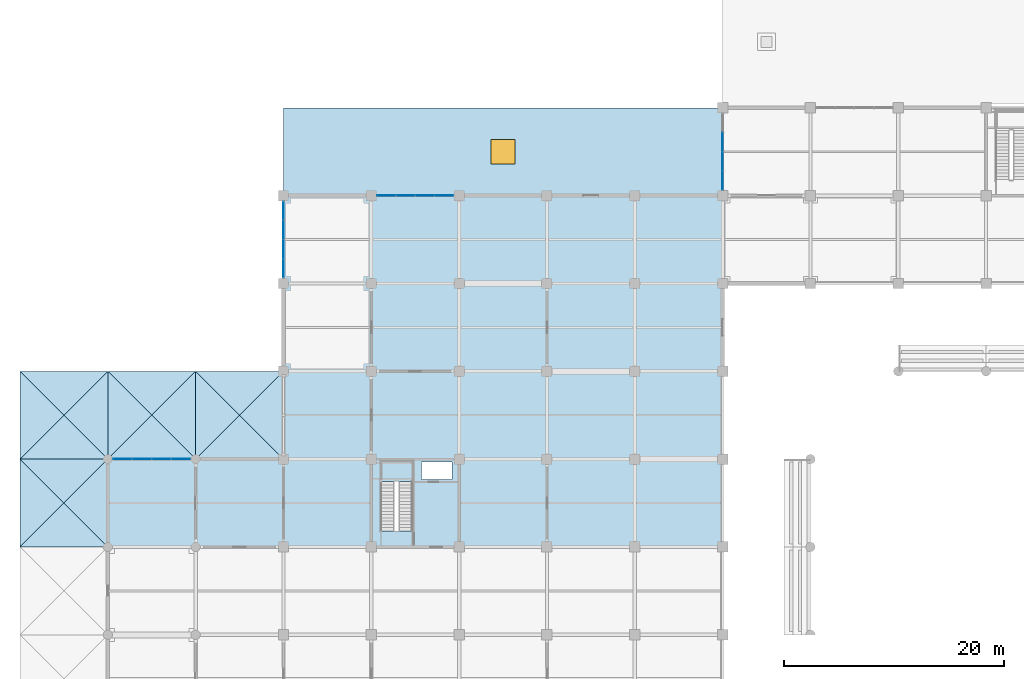
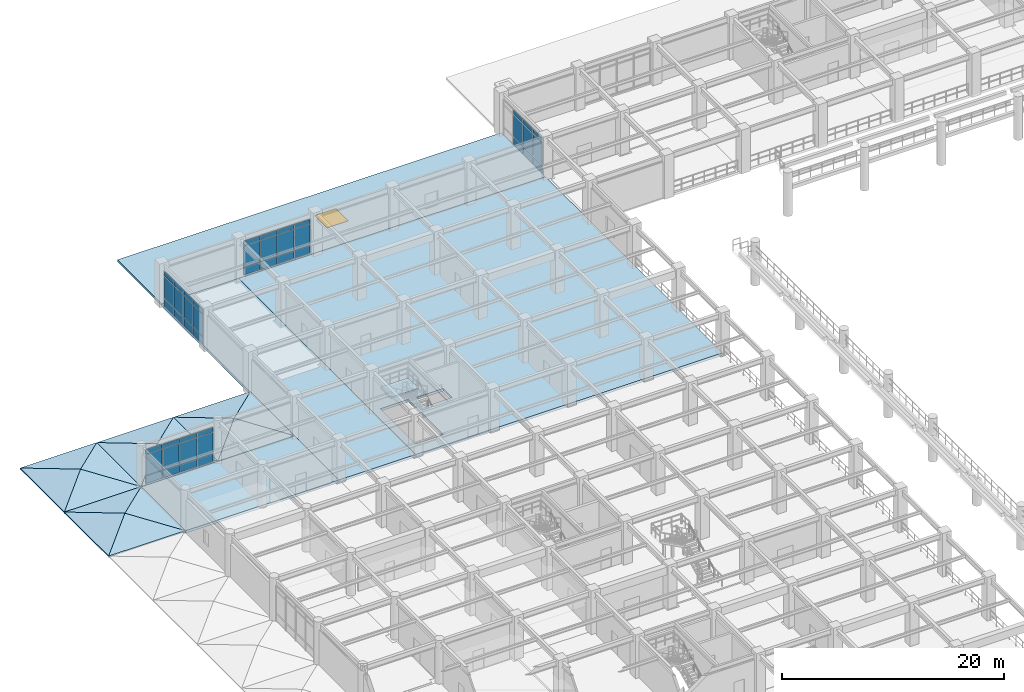
# One storey, part 63 of 109: 45 plates, 21 slabs, 1 window, 1 opening, 5 elements without a shape of their own.
"""IFC4 building model written with IfcOpenShell, lengths in metres."""

import ifcopenshell
import ifcopenshell.guid

model = None  # the IFC model being written
_history = None  # IfcOwnerHistory: only IFC2X3 demands one
_inside = {}  # id of a spatial element -> (the spatial element, [elements in it])
_under = {}  # id of a project, library or spatial element -> (it, [spatial elements below it])
_declared = {}  # id of a project -> (the project, [libraries it declares])
_typed = {}  # id of a type object -> (the type object, [elements of that type])
_made_of = {}  # id of a material, layer set ... -> (it, [elements and type objects made of it])


def new_model(schema):
    """Start an empty IFC model of exactly this schema.

    Asked for "IFC4X3", IfcOpenShell would pick the latest addendum, in which some entities
    have other attributes; the version numbers below select the first issue.
    IFC2X3 requires an IfcOwnerHistory on every rooted entity: one is made here for all.
    """
    global model, _history
    if schema == "IFC4X3":
        model = ifcopenshell.file(schema_version=(4, 3, 0, 0))
    else:
        model = ifcopenshell.file(schema=schema)
    _inside.clear()
    _under.clear()
    _declared.clear()
    _typed.clear()
    _made_of.clear()
    _history = None
    if model.schema == "IFC2X3":
        org = make("IfcOrganization", Name="unknown")
        user = make(
            "IfcPersonAndOrganization",
            ThePerson=make("IfcPerson", FamilyName="unknown"),
            TheOrganization=org,
        )
        app = make(
            "IfcApplication",
            ApplicationDeveloper=org,
            Version="unknown",
            ApplicationFullName="unknown",
            ApplicationIdentifier="unknown",
        )
        _history = make(
            "IfcOwnerHistory",
            OwningUser=user,
            OwningApplication=app,
            ChangeAction="ADDED",
            CreationDate=0,
        )
    return model


def make(cls, **values):
    """One entity of the class cls with the attributes given. An attribute that is None is left unset."""
    return model.create_entity(
        cls, **{name: value for name, value in values.items() if value is not None}
    )


def rooted(cls, **values):
    """An entity with a GlobalId (a new one), such as an element, a storey or a relation."""
    return make(cls, GlobalId=ifcopenshell.guid.new(), OwnerHistory=_history, **values)


def si_unit(unit_type, name, prefix=None):
    """IfcSIUnit, for example si_unit("LENGTHUNIT", "METRE", prefix="MILLI")."""
    return make("IfcSIUnit", UnitType=unit_type, Prefix=prefix, Name=name)


def assignment(units):
    """IfcUnitAssignment: the units of a project."""
    return None if units is None else make("IfcUnitAssignment", Units=units)


def point(xyz):
    """IfcCartesianPoint."""
    return None if xyz is None else make("IfcCartesianPoint", Coordinates=xyz)


def direction(xyz):
    """IfcDirection."""
    return None if xyz is None else make("IfcDirection", DirectionRatios=xyz)


def frame(location, z_axis=None, x_axis=None):
    """IfcAxis2Placement3D, a coordinate frame: its origin and axes. An axis left out is left unset."""
    return make(
        "IfcAxis2Placement3D",
        Location=point(location),
        Axis=direction(z_axis),
        RefDirection=direction(x_axis),
    )


def frame_2d(location, x_axis=None):
    """IfcAxis2Placement2D, a coordinate frame in the plane: its origin and x axis."""
    return make(
        "IfcAxis2Placement2D", Location=point(location), RefDirection=direction(x_axis)
    )


def origin():
    """The frame at (0, 0, 0) with its axes left unset."""
    return frame((0.0, 0.0, 0.0))


def origin_2d():
    """The frame at (0, 0) in the plane with its x axis left unset."""
    return frame_2d((0.0, 0.0))


def place(relative_to, where):
    """IfcLocalPlacement: puts the frame where relative to a parent placement (None: the world)."""
    return make(
        "IfcLocalPlacement", PlacementRelTo=relative_to, RelativePlacement=where
    )


def context(
    kind, dimensions, precision=None, world=None, true_north=None, identifier=None
):
    """IfcGeometricRepresentationContext, for example the 3D "Model" context."""
    return make(
        "IfcGeometricRepresentationContext",
        ContextIdentifier=identifier,
        ContextType=kind,
        CoordinateSpaceDimension=dimensions,
        Precision=precision,
        WorldCoordinateSystem=world,
        TrueNorth=true_north,
    )


def subcontext(parent, identifier, kind, view, scale=None):
    """IfcGeometricRepresentationSubContext, for example "Body" below "Model"."""
    return make(
        "IfcGeometricRepresentationSubContext",
        ContextIdentifier=identifier,
        ContextType=kind,
        ParentContext=parent,
        TargetScale=scale,
        TargetView=view,
    )


def project(units=None, contexts=None):
    """IfcProject with its units and contexts."""
    return rooted(
        "IfcProject",
        Name="project",
        RepresentationContexts=contexts,
        UnitsInContext=assignment(units),
    )


def spatial(cls, under=None, at=None, **own):
    """A site, building, storey or space (cls), placed at a placement, below another one or the project."""
    s = rooted(cls, ObjectPlacement=at, **own)
    if under is not None:
        _under.setdefault(under.id(), (under, []))[1].append(s)
    return s


def polyline(points):
    """IfcPolyline through the points."""
    return make("IfcPolyline", Points=[point(p) for p in points])


def profile(cls, at=None, kind="AREA", **sizes):
    """A parametric profile (cls). Its sizes go by their IFC names, for example OverallWidth=200.0."""
    return make(cls, ProfileType=kind, Position=at, **sizes)


def rectangle(**sizes):
    """IfcRectangleProfileDef."""
    return profile("IfcRectangleProfileDef", **sizes)


def outline(outer, holes=None, kind="AREA"):
    """IfcArbitraryClosedProfileDef: a profile drawn as a closed curve; with holes, ...WithVoids."""
    if holes is None:
        return make("IfcArbitraryClosedProfileDef", ProfileType=kind, OuterCurve=outer)
    return make(
        "IfcArbitraryProfileDefWithVoids",
        ProfileType=kind,
        OuterCurve=outer,
        InnerCurves=holes,
    )


def extrude(swept, where, along, depth):
    """IfcExtrudedAreaSolid: the profile swept, set in the frame where, extruded along a direction by depth."""
    return make(
        "IfcExtrudedAreaSolid",
        SweptArea=swept,
        Position=where,
        ExtrudedDirection=direction(along),
        Depth=depth,
    )


def shape(context_of_items, identifier, shape_type, items):
    """IfcShapeRepresentation: the items that make up one representation, for example the "Body"."""
    return make(
        "IfcShapeRepresentation",
        ContextOfItems=context_of_items,
        RepresentationIdentifier=identifier,
        RepresentationType=shape_type,
        Items=items,
    )


def material(Name=None, Category=None):
    """IfcMaterial."""
    return make("IfcMaterial", Name=Name, Category=Category)


def layer(
    of_material, thickness, ventilated=None, Name=None, Category=None, Priority=None
):
    """IfcMaterialLayer: one layer of a wall or slab, of a material (None: an air gap)."""
    return make(
        "IfcMaterialLayer",
        Material=of_material,
        LayerThickness=thickness,
        IsVentilated=ventilated,
        Name=Name,
        Category=Category,
        Priority=Priority,
    )


def layer_set(layers, Name=None):
    """IfcMaterialLayerSet."""
    return make("IfcMaterialLayerSet", MaterialLayers=layers, LayerSetName=Name)


def made_of(thing, what):
    """Note that an element or type object is made of a material, layer set ...; save() writes the relation."""
    if what is not None:
        _made_of.setdefault(what.id(), (what, []))[1].append(thing)
    return thing


def type_object(cls, material=None, **own):
    """A type object (cls), such as IfcWallType, which elements share."""
    return made_of(rooted(cls, **own), material)


def element(
    cls,
    number,
    at=None,
    inside=None,
    cuts=None,
    type_object=None,
    material=None,
    context=None,
    identifier="Body",
    shape_type=None,
    held_by="IfcProductDefinitionShape",
    body=None,
    shapes=None,
    **own,
):
    """One element of the class cls, such as IfcWall. Its Tag is "e" and its number.

    at: its placement. inside: the storey or other place that contains it. cuts: it is an
    opening in that element (IfcRelVoidsElement). A single representation is given by context,
    identifier, shape_type and body (its items); several are given by shapes. held_by: the class
    of the entity that holds the representations. save() writes the other relations.
    """
    e = rooted(cls, Tag="e%d" % number, ObjectPlacement=at, **own)
    if body is not None:
        shapes = [shape(context, identifier, shape_type, body)]
    if shapes is not None:
        e.Representation = make(held_by, Representations=shapes)
    if inside is not None:
        _inside.setdefault(inside.id(), (inside, []))[1].append(e)
    if cuts is not None:
        rooted(
            "IfcRelVoidsElement", RelatingBuildingElement=cuts, RelatedOpeningElement=e
        )
    if type_object is not None:
        _typed.setdefault(type_object.id(), (type_object, []))[1].append(e)
    return made_of(e, material)


def fill(opening, filler):
    """IfcRelFillsElement: the door or window that sits in an opening."""
    return rooted(
        "IfcRelFillsElement",
        RelatingOpeningElement=opening,
        RelatedBuildingElement=filler,
    )


def aggregate(whole, parts):
    """IfcRelAggregates: a whole, such as a stair, and the parts it consists of."""
    return rooted("IfcRelAggregates", RelatingObject=whole, RelatedObjects=parts)


def save(model, path):
    """Write the relations noted so far, then the file.

    IfcRelAggregates (storeys below a building ...), IfcRelContainedInSpatialStructure (elements
    in a storey), IfcRelDefinesByType, IfcRelAssociatesMaterial and IfcRelDeclares: one each for
    every whole, place, type object, material and project.
    """
    for whole, parts in _under.values():
        aggregate(whole, parts)
    for where, things in _inside.values():
        rooted(
            "IfcRelContainedInSpatialStructure",
            RelatedElements=things,
            RelatingStructure=where,
        )
    for kind, things in _typed.values():
        rooted("IfcRelDefinesByType", RelatedObjects=things, RelatingType=kind)
    for what, things in _made_of.values():
        rooted("IfcRelAssociatesMaterial", RelatedObjects=things, RelatingMaterial=what)
    for by, libraries in _declared.values():
        rooted("IfcRelDeclares", RelatingContext=by, RelatedDefinitions=libraries)
    model.write(path)


model = new_model("IFC4")

# Units and contexts
model_context = context("Model", 3, precision=1e-05, world=origin(), true_north=direction((0.0, 1.0)))
body_context = subcontext(model_context, "Body", "Model", "MODEL_VIEW")
ifc_project = project(units=[si_unit("LENGTHUNIT", "METRE"), si_unit("AREAUNIT", "SQUARE_METRE"), si_unit("VOLUMEUNIT", "CUBIC_METRE"), si_unit("PLANEANGLEUNIT", "RADIAN"), si_unit("MASSUNIT", "GRAM", prefix="KILO")], contexts=[model_context])

# Site, building, storey
site_placement = place(None, origin())
site = spatial("IfcSite", under=ifc_project, at=site_placement, CompositionType="ELEMENT")
building_placement = place(site_placement, origin())
building = spatial("IfcBuilding", under=site, at=building_placement, Name="Haebicheon Civic Stadium", CompositionType="ELEMENT")
storey_placement = place(building_placement, frame((0.0, 0.0, 9.60009765625)))
storey = spatial("IfcBuildingStorey", under=building, at=storey_placement, Name="L03", CompositionType="ELEMENT", Elevation=9.60009765625)

# Curtain wall, plates
ifc_material_1 = material(Name="Anodised aluminium and laminated glass", Category="aluminium")
ifc_layer_1 = layer(ifc_material_1, 0.179931640625, Name="Anodised aluminium and laminated glass")
ifc_layer_set_1 = layer_set([ifc_layer_1], Name="Anodised aluminium and laminated glass")
curtain_wall_type_1 = type_object("IfcCurtainWallType", Name="CW-7150x3790", PredefinedType="NOTDEFINED", material=ifc_layer_set_1)
curtain_wall_1_placement = place(storey_placement, origin())
curtain_wall_1 = element("IfcCurtainWall", 1, at=curtain_wall_1_placement, inside=storey, type_object=curtain_wall_type_1, material=ifc_layer_set_1, Name="L03 unitised curtain wall 071", PredefinedType="NOTDEFINED")
ifc_material_2 = material(Name="Double low-e laminated glass", Category="glass")
ifc_layer_2 = layer(ifc_material_2, 0.028076171875, Name="Double low-e laminated glass")
ifc_layer_set_2 = layer_set([ifc_layer_2], Name="Double low-e laminated glass")
plate_type_1 = type_object("IfcPlateType", Name="CWP-GLZ-28", PredefinedType="CURTAIN_PANEL", material=ifc_layer_set_2)
plate_1_placement = place(storey_placement, frame((9.3359375, 136.0, 1.094970703125), z_axis=(0.0, 0.0, 1.0), x_axis=(1.0, 0.0, 0.0)))
plate_1 = element("IfcPlate", 2, at=plate_1_placement, type_object=plate_type_1, material=ifc_layer_set_2, Name="CW-L03-071 vision panel 1.2", PredefinedType="CURTAIN_PANEL", context=body_context, shape_type="SweptSolid", body=[
    extrude(rectangle(XDim=1.68310546875, YDim=0.028076171875, at=origin_2d()), origin(), (0.0, 0.0, 1.0), 2.27001953125),
])
plate_2_placement = place(storey_placement, frame((11.10595703125, 136.0, 1.094970703125), z_axis=(0.0, 0.0, 1.0), x_axis=(1.0, 0.0, 0.0)))
plate_2 = element("IfcPlate", 3, at=plate_2_placement, type_object=plate_type_1, material=ifc_layer_set_2, Name="CW-L03-071 vision panel 2.2", PredefinedType="CURTAIN_PANEL", context=body_context, shape_type="SweptSolid", body=[
    extrude(rectangle(XDim=1.717041015625, YDim=0.028076171875, at=origin_2d()), origin(), (0.0, 0.0, 1.0), 2.27001953125),
])
plate_3_placement = place(storey_placement, frame((12.89404296875, 136.0, 1.094970703125), z_axis=(0.0, 0.0, 1.0), x_axis=(1.0, 0.0, 0.0)))
plate_3 = element("IfcPlate", 4, at=plate_3_placement, type_object=plate_type_1, material=ifc_layer_set_2, Name="CW-L03-071 vision panel 3.2", PredefinedType="CURTAIN_PANEL", context=body_context, shape_type="SweptSolid", body=[
    extrude(rectangle(XDim=1.718017578125, YDim=0.028076171875, at=origin_2d()), origin(), (0.0, 0.0, 1.0), 2.27001953125),
])
plate_4_placement = place(storey_placement, frame((14.6640625, 136.0, 1.094970703125), z_axis=(0.0, 0.0, 1.0), x_axis=(1.0, 0.0, 0.0)))
plate_4 = element("IfcPlate", 5, at=plate_4_placement, type_object=plate_type_1, material=ifc_layer_set_2, Name="CW-L03-071 vision panel 4.2", PredefinedType="CURTAIN_PANEL", context=body_context, shape_type="SweptSolid", body=[
    extrude(rectangle(XDim=1.681884765625, YDim=0.028076171875, at=origin_2d()), origin(), (0.0, 0.0, 1.0), 2.27001953125),
])

ifc_material_3 = material(Name="Anodised aluminium and laminated glass", Category="aluminium")
ifc_layer_3 = layer(ifc_material_3, 0.179931640625, Name="Anodised aluminium and laminated glass")
ifc_layer_set_3 = layer_set([ifc_layer_3], Name="Anodised aluminium and laminated glass")
curtain_wall_type_2 = type_object("IfcCurtainWallType", Name="CW-7050x3930", PredefinedType="NOTDEFINED", material=ifc_layer_set_3)
curtain_wall_2_placement = place(storey_placement, origin())
curtain_wall_2 = element("IfcCurtainWall", 6, at=curtain_wall_2_placement, inside=storey, type_object=curtain_wall_type_2, material=ifc_layer_set_3, Name="L03 unitised curtain wall 073", PredefinedType="NOTDEFINED")
plate_5_placement = place(storey_placement, frame((24.0, 153.3740234375, 0.93505859375), z_axis=(0.0, 0.0, 1.0), x_axis=(0.0, 1.0, 0.0)))
plate_5 = element("IfcPlate", 7, at=plate_5_placement, type_object=plate_type_1, material=ifc_layer_set_2, Name="CW-L03-073 vision panel 1.2", PredefinedType="CURTAIN_PANEL", context=body_context, shape_type="SweptSolid", body=[
    extrude(rectangle(XDim=1.656982421875, YDim=0.028076171875, at=origin_2d()), origin(), (0.0, 0.0, 1.0), 2.409912109375),
])
plate_6_placement = place(storey_placement, frame((24.0, 155.117919921875, 0.93505859375), z_axis=(0.0, 0.0, 1.0), x_axis=(0.0, 1.0, 0.0)))
plate_6 = element("IfcPlate", 8, at=plate_6_placement, type_object=plate_type_1, material=ifc_layer_set_2, Name="CW-L03-073 vision panel 2.2", PredefinedType="CURTAIN_PANEL", context=body_context, shape_type="SweptSolid", body=[
    extrude(rectangle(XDim=1.693115234375, YDim=0.028076171875, at=origin_2d()), origin(), (0.0, 0.0, 1.0), 2.409912109375),
])
plate_7_placement = place(storey_placement, frame((24.0, 156.882080078125, 0.93505859375), z_axis=(0.0, 0.0, 1.0), x_axis=(0.0, 1.0, 0.0)))
plate_7 = element("IfcPlate", 9, at=plate_7_placement, type_object=plate_type_1, material=ifc_layer_set_2, Name="CW-L03-073 vision panel 3.2", PredefinedType="CURTAIN_PANEL", context=body_context, shape_type="SweptSolid", body=[
    extrude(rectangle(XDim=1.693115234375, YDim=0.028076171875, at=origin_2d()), origin(), (0.0, 0.0, 1.0), 2.409912109375),
])
plate_8_placement = place(storey_placement, frame((24.0, 158.6259765625, 0.93505859375), z_axis=(0.0, 0.0, 1.0), x_axis=(0.0, 1.0, 0.0)))
plate_8 = element("IfcPlate", 10, at=plate_8_placement, type_object=plate_type_1, material=ifc_layer_set_2, Name="CW-L03-073 vision panel 4.2", PredefinedType="CURTAIN_PANEL", context=body_context, shape_type="SweptSolid", body=[
    extrude(rectangle(XDim=1.656982421875, YDim=0.028076171875, at=origin_2d()), origin(), (0.0, 0.0, 1.0), 2.409912109375),
])

ifc_material_4 = material(Name="Anodised aluminium and laminated glass", Category="aluminium")
ifc_layer_4 = layer(ifc_material_4, 0.179931640625, Name="Anodised aluminium and laminated glass")
ifc_layer_set_4 = layer_set([ifc_layer_4], Name="Anodised aluminium and laminated glass")
curtain_wall_type_3 = type_object("IfcCurtainWallType", Name="CW-7050x3790", PredefinedType="NOTDEFINED", material=ifc_layer_set_4)
curtain_wall_3_placement = place(storey_placement, origin())
curtain_wall_3 = element("IfcCurtainWall", 11, at=curtain_wall_3_placement, inside=storey, type_object=curtain_wall_type_3, material=ifc_layer_set_4, Name="L03 unitised curtain wall 075", PredefinedType="NOTDEFINED")
plate_9_placement = place(storey_placement, frame((33.3740234375, 160.0, 1.094970703125), z_axis=(0.0, 0.0, 1.0), x_axis=(1.0, 0.0, 0.0)))
plate_9 = element("IfcPlate", 12, at=plate_9_placement, type_object=plate_type_1, material=ifc_layer_set_2, Name="CW-L03-075 vision panel 1.2", PredefinedType="CURTAIN_PANEL", context=body_context, shape_type="SweptSolid", body=[
    extrude(rectangle(XDim=1.656982421875, YDim=0.028076171875, at=origin_2d()), origin(), (0.0, 0.0, 1.0), 2.27001953125),
])
plate_10_placement = place(storey_placement, frame((35.117919921875, 160.0, 1.094970703125), z_axis=(0.0, 0.0, 1.0), x_axis=(1.0, 0.0, 0.0)))
plate_10 = element("IfcPlate", 13, at=plate_10_placement, type_object=plate_type_1, material=ifc_layer_set_2, Name="CW-L03-075 vision panel 2.2", PredefinedType="CURTAIN_PANEL", context=body_context, shape_type="SweptSolid", body=[
    extrude(rectangle(XDim=1.693115234375, YDim=0.028076171875, at=origin_2d()), origin(), (0.0, 0.0, 1.0), 2.27001953125),
])
plate_11_placement = place(storey_placement, frame((36.882080078125, 160.0, 1.094970703125), z_axis=(0.0, 0.0, 1.0), x_axis=(1.0, 0.0, 0.0)))
plate_11 = element("IfcPlate", 14, at=plate_11_placement, type_object=plate_type_1, material=ifc_layer_set_2, Name="CW-L03-075 vision panel 3.2", PredefinedType="CURTAIN_PANEL", context=body_context, shape_type="SweptSolid", body=[
    extrude(rectangle(XDim=1.693115234375, YDim=0.028076171875, at=origin_2d()), origin(), (0.0, 0.0, 1.0), 2.27001953125),
])
plate_12_placement = place(storey_placement, frame((38.6259765625, 160.0, 1.094970703125), z_axis=(0.0, 0.0, 1.0), x_axis=(1.0, 0.0, 0.0)))
plate_12 = element("IfcPlate", 15, at=plate_12_placement, type_object=plate_type_1, material=ifc_layer_set_2, Name="CW-L03-075 vision panel 4.2", PredefinedType="CURTAIN_PANEL", context=body_context, shape_type="SweptSolid", body=[
    extrude(rectangle(XDim=1.656982421875, YDim=0.028076171875, at=origin_2d()), origin(), (0.0, 0.0, 1.0), 2.27001953125),
])

ifc_material_5 = material(Name="Anodised aluminium and laminated glass", Category="aluminium")
ifc_layer_5 = layer(ifc_material_5, 0.179931640625, Name="Anodised aluminium and laminated glass")
ifc_layer_set_5 = layer_set([ifc_layer_5], Name="Anodised aluminium and laminated glass")
curtain_wall_type_4 = type_object("IfcCurtainWallType", Name="CW-7050x3950", PredefinedType="NOTDEFINED", material=ifc_layer_set_5)
curtain_wall_4_placement = place(storey_placement, origin())
curtain_wall_4 = element("IfcCurtainWall", 16, at=curtain_wall_4_placement, inside=storey, type_object=curtain_wall_type_4, material=ifc_layer_set_5, Name="L03 unitised curtain wall 078", PredefinedType="NOTDEFINED")
plate_13_placement = place(storey_placement, frame((64.0, 161.3740234375, 0.93505859375), z_axis=(0.0, 0.0, 1.0), x_axis=(0.0, 1.0, 0.0)))
plate_13 = element("IfcPlate", 17, at=plate_13_placement, type_object=plate_type_1, material=ifc_layer_set_2, Name="CW-L03-078 vision panel 1.2", PredefinedType="CURTAIN_PANEL", context=body_context, shape_type="SweptSolid", body=[
    extrude(rectangle(XDim=1.656982421875, YDim=0.028076171875, at=origin_2d()), origin(), (0.0, 0.0, 1.0), 2.429931640625),
])
plate_14_placement = place(storey_placement, frame((64.0, 163.117919921875, 0.93505859375), z_axis=(0.0, 0.0, 1.0), x_axis=(0.0, 1.0, 0.0)))
plate_14 = element("IfcPlate", 18, at=plate_14_placement, type_object=plate_type_1, material=ifc_layer_set_2, Name="CW-L03-078 vision panel 2.2", PredefinedType="CURTAIN_PANEL", context=body_context, shape_type="SweptSolid", body=[
    extrude(rectangle(XDim=1.693115234375, YDim=0.028076171875, at=origin_2d()), origin(), (0.0, 0.0, 1.0), 2.429931640625),
])
plate_15_placement = place(storey_placement, frame((64.0, 164.882080078125, 0.93505859375), z_axis=(0.0, 0.0, 1.0), x_axis=(0.0, 1.0, 0.0)))
plate_15 = element("IfcPlate", 19, at=plate_15_placement, type_object=plate_type_1, material=ifc_layer_set_2, Name="CW-L03-078 vision panel 3.2", PredefinedType="CURTAIN_PANEL", context=body_context, shape_type="SweptSolid", body=[
    extrude(rectangle(XDim=1.693115234375, YDim=0.028076171875, at=origin_2d()), origin(), (0.0, 0.0, 1.0), 2.429931640625),
])

# Plate
ifc_material_6 = material(Name="Anodised aluminium 6063-T6", Category="aluminium")
ifc_layer_6 = layer(ifc_material_6, 0.0439453125, Name="Anodised aluminium 6063-T6")
ifc_layer_set_6 = layer_set([ifc_layer_6], Name="Anodised aluminium 6063-T6")
plate_type_2 = type_object("IfcPlateType", Name="CWP-SPD-44", PredefinedType="CURTAIN_PANEL", material=ifc_layer_set_6)
plate_16_placement = place(storey_placement, frame((9.3359375, 136.0, 0.19482421875), z_axis=(0.0, 0.0, 1.0), x_axis=(1.0, 0.0, 0.0)))
plate_16 = element("IfcPlate", 20, at=plate_16_placement, type_object=plate_type_2, material=ifc_layer_set_6, Name="CW-L03-071 spandrel panel 1.1", PredefinedType="CURTAIN_PANEL", context=body_context, shape_type="SweptSolid", body=[
    extrude(rectangle(XDim=1.68310546875, YDim=0.0439453125, at=origin_2d()), origin(), (0.0, 0.0, 1.0), 0.830078125),
])

plate_17_placement = place(storey_placement, frame((9.3359375, 136.0, 3.434814453125), z_axis=(0.0, 0.0, 1.0), x_axis=(1.0, 0.0, 0.0)))
plate_17 = element("IfcPlate", 21, at=plate_17_placement, type_object=plate_type_2, material=ifc_layer_set_6, Name="CW-L03-071 spandrel panel 1.3", PredefinedType="CURTAIN_PANEL", context=body_context, shape_type="SweptSolid", body=[
    extrude(rectangle(XDim=1.68310546875, YDim=0.0439453125, at=origin_2d()), origin(), (0.0, 0.0, 1.0), 0.47998046875),
])

plate_18_placement = place(storey_placement, frame((11.10595703125, 136.0, 0.19482421875), z_axis=(0.0, 0.0, 1.0), x_axis=(1.0, 0.0, 0.0)))
plate_18 = element("IfcPlate", 22, at=plate_18_placement, type_object=plate_type_2, material=ifc_layer_set_6, Name="CW-L03-071 spandrel panel 2.1", PredefinedType="CURTAIN_PANEL", context=body_context, shape_type="SweptSolid", body=[
    extrude(rectangle(XDim=1.717041015625, YDim=0.0439453125, at=origin_2d()), origin(), (0.0, 0.0, 1.0), 0.830078125),
])

plate_19_placement = place(storey_placement, frame((11.10595703125, 136.0, 3.434814453125), z_axis=(0.0, 0.0, 1.0), x_axis=(1.0, 0.0, 0.0)))
plate_19 = element("IfcPlate", 23, at=plate_19_placement, type_object=plate_type_2, material=ifc_layer_set_6, Name="CW-L03-071 spandrel panel 2.3", PredefinedType="CURTAIN_PANEL", context=body_context, shape_type="SweptSolid", body=[
    extrude(rectangle(XDim=1.717041015625, YDim=0.0439453125, at=origin_2d()), origin(), (0.0, 0.0, 1.0), 0.47998046875),
])

plate_20_placement = place(storey_placement, frame((12.89404296875, 136.0, 0.19482421875), z_axis=(0.0, 0.0, 1.0), x_axis=(1.0, 0.0, 0.0)))
plate_20 = element("IfcPlate", 24, at=plate_20_placement, type_object=plate_type_2, material=ifc_layer_set_6, Name="CW-L03-071 spandrel panel 3.1", PredefinedType="CURTAIN_PANEL", context=body_context, shape_type="SweptSolid", body=[
    extrude(rectangle(XDim=1.718017578125, YDim=0.0439453125, at=origin_2d()), origin(), (0.0, 0.0, 1.0), 0.830078125),
])

plate_21_placement = place(storey_placement, frame((12.89404296875, 136.0, 3.434814453125), z_axis=(0.0, 0.0, 1.0), x_axis=(1.0, 0.0, 0.0)))
plate_21 = element("IfcPlate", 25, at=plate_21_placement, type_object=plate_type_2, material=ifc_layer_set_6, Name="CW-L03-071 spandrel panel 3.3", PredefinedType="CURTAIN_PANEL", context=body_context, shape_type="SweptSolid", body=[
    extrude(rectangle(XDim=1.718017578125, YDim=0.0439453125, at=origin_2d()), origin(), (0.0, 0.0, 1.0), 0.47998046875),
])

plate_22_placement = place(storey_placement, frame((14.6640625, 136.0, 0.19482421875), z_axis=(0.0, 0.0, 1.0), x_axis=(1.0, 0.0, 0.0)))
plate_22 = element("IfcPlate", 26, at=plate_22_placement, type_object=plate_type_2, material=ifc_layer_set_6, Name="CW-L03-071 spandrel panel 4.1", PredefinedType="CURTAIN_PANEL", context=body_context, shape_type="SweptSolid", body=[
    extrude(rectangle(XDim=1.681884765625, YDim=0.0439453125, at=origin_2d()), origin(), (0.0, 0.0, 1.0), 0.830078125),
])

plate_23_placement = place(storey_placement, frame((14.6640625, 136.0, 3.434814453125), z_axis=(0.0, 0.0, 1.0), x_axis=(1.0, 0.0, 0.0)))
plate_23 = element("IfcPlate", 27, at=plate_23_placement, type_object=plate_type_2, material=ifc_layer_set_6, Name="CW-L03-071 spandrel panel 4.3", PredefinedType="CURTAIN_PANEL", context=body_context, shape_type="SweptSolid", body=[
    extrude(rectangle(XDim=1.681884765625, YDim=0.0439453125, at=origin_2d()), origin(), (0.0, 0.0, 1.0), 0.47998046875),
])

aggregate(curtain_wall_1, [plate_16, plate_1, plate_17, plate_18, plate_2, plate_19, plate_20, plate_3, plate_21, plate_22, plate_4, plate_23])

plate_24_placement = place(storey_placement, frame((24.0, 153.3740234375, 0.034912109375), z_axis=(0.0, 0.0, 1.0), x_axis=(0.0, 1.0, 0.0)))
plate_24 = element("IfcPlate", 28, at=plate_24_placement, type_object=plate_type_2, material=ifc_layer_set_6, Name="CW-L03-073 spandrel panel 1.1", PredefinedType="CURTAIN_PANEL", context=body_context, shape_type="SweptSolid", body=[
    extrude(rectangle(XDim=1.656982421875, YDim=0.0439453125, at=origin_2d()), origin(), (0.0, 0.0, 1.0), 0.830078125),
])

plate_25_placement = place(storey_placement, frame((24.0, 153.3740234375, 3.414794921875), z_axis=(0.0, 0.0, 1.0), x_axis=(0.0, 1.0, 0.0)))
plate_25 = element("IfcPlate", 29, at=plate_25_placement, type_object=plate_type_2, material=ifc_layer_set_6, Name="CW-L03-073 spandrel panel 1.3", PredefinedType="CURTAIN_PANEL", context=body_context, shape_type="SweptSolid", body=[
    extrude(rectangle(XDim=1.656982421875, YDim=0.0439453125, at=origin_2d()), origin(), (0.0, 0.0, 1.0), 0.47998046875),
])

plate_26_placement = place(storey_placement, frame((24.0, 155.117919921875, 0.034912109375), z_axis=(0.0, 0.0, 1.0), x_axis=(0.0, 1.0, 0.0)))
plate_26 = element("IfcPlate", 30, at=plate_26_placement, type_object=plate_type_2, material=ifc_layer_set_6, Name="CW-L03-073 spandrel panel 2.1", PredefinedType="CURTAIN_PANEL", context=body_context, shape_type="SweptSolid", body=[
    extrude(rectangle(XDim=1.693115234375, YDim=0.0439453125, at=origin_2d()), origin(), (0.0, 0.0, 1.0), 0.830078125),
])

plate_27_placement = place(storey_placement, frame((24.0, 155.117919921875, 3.414794921875), z_axis=(0.0, 0.0, 1.0), x_axis=(0.0, 1.0, 0.0)))
plate_27 = element("IfcPlate", 31, at=plate_27_placement, type_object=plate_type_2, material=ifc_layer_set_6, Name="CW-L03-073 spandrel panel 2.3", PredefinedType="CURTAIN_PANEL", context=body_context, shape_type="SweptSolid", body=[
    extrude(rectangle(XDim=1.693115234375, YDim=0.0439453125, at=origin_2d()), origin(), (0.0, 0.0, 1.0), 0.47998046875),
])

plate_28_placement = place(storey_placement, frame((24.0, 156.882080078125, 0.034912109375), z_axis=(0.0, 0.0, 1.0), x_axis=(0.0, 1.0, 0.0)))
plate_28 = element("IfcPlate", 32, at=plate_28_placement, type_object=plate_type_2, material=ifc_layer_set_6, Name="CW-L03-073 spandrel panel 3.1", PredefinedType="CURTAIN_PANEL", context=body_context, shape_type="SweptSolid", body=[
    extrude(rectangle(XDim=1.693115234375, YDim=0.0439453125, at=origin_2d()), origin(), (0.0, 0.0, 1.0), 0.830078125),
])

plate_29_placement = place(storey_placement, frame((24.0, 156.882080078125, 3.414794921875), z_axis=(0.0, 0.0, 1.0), x_axis=(0.0, 1.0, 0.0)))
plate_29 = element("IfcPlate", 33, at=plate_29_placement, type_object=plate_type_2, material=ifc_layer_set_6, Name="CW-L03-073 spandrel panel 3.3", PredefinedType="CURTAIN_PANEL", context=body_context, shape_type="SweptSolid", body=[
    extrude(rectangle(XDim=1.693115234375, YDim=0.0439453125, at=origin_2d()), origin(), (0.0, 0.0, 1.0), 0.47998046875),
])

plate_30_placement = place(storey_placement, frame((24.0, 158.6259765625, 0.034912109375), z_axis=(0.0, 0.0, 1.0), x_axis=(0.0, 1.0, 0.0)))
plate_30 = element("IfcPlate", 34, at=plate_30_placement, type_object=plate_type_2, material=ifc_layer_set_6, Name="CW-L03-073 spandrel panel 4.1", PredefinedType="CURTAIN_PANEL", context=body_context, shape_type="SweptSolid", body=[
    extrude(rectangle(XDim=1.656982421875, YDim=0.0439453125, at=origin_2d()), origin(), (0.0, 0.0, 1.0), 0.830078125),
])

plate_31_placement = place(storey_placement, frame((24.0, 158.6259765625, 3.414794921875), z_axis=(0.0, 0.0, 1.0), x_axis=(0.0, 1.0, 0.0)))
plate_31 = element("IfcPlate", 35, at=plate_31_placement, type_object=plate_type_2, material=ifc_layer_set_6, Name="CW-L03-073 spandrel panel 4.3", PredefinedType="CURTAIN_PANEL", context=body_context, shape_type="SweptSolid", body=[
    extrude(rectangle(XDim=1.656982421875, YDim=0.0439453125, at=origin_2d()), origin(), (0.0, 0.0, 1.0), 0.47998046875),
])

aggregate(curtain_wall_2, [plate_24, plate_5, plate_25, plate_26, plate_6, plate_27, plate_28, plate_7, plate_29, plate_30, plate_8, plate_31])

plate_32_placement = place(storey_placement, frame((33.3740234375, 160.0, 0.19482421875), z_axis=(0.0, 0.0, 1.0), x_axis=(1.0, 0.0, 0.0)))
plate_32 = element("IfcPlate", 36, at=plate_32_placement, type_object=plate_type_2, material=ifc_layer_set_6, Name="CW-L03-075 spandrel panel 1.1", PredefinedType="CURTAIN_PANEL", context=body_context, shape_type="SweptSolid", body=[
    extrude(rectangle(XDim=1.656982421875, YDim=0.0439453125, at=origin_2d()), origin(), (0.0, 0.0, 1.0), 0.830078125),
])

plate_33_placement = place(storey_placement, frame((33.3740234375, 160.0, 3.434814453125), z_axis=(0.0, 0.0, 1.0), x_axis=(1.0, 0.0, 0.0)))
plate_33 = element("IfcPlate", 37, at=plate_33_placement, type_object=plate_type_2, material=ifc_layer_set_6, Name="CW-L03-075 spandrel panel 1.3", PredefinedType="CURTAIN_PANEL", context=body_context, shape_type="SweptSolid", body=[
    extrude(rectangle(XDim=1.656982421875, YDim=0.0439453125, at=origin_2d()), origin(), (0.0, 0.0, 1.0), 0.47998046875),
])

plate_34_placement = place(storey_placement, frame((35.117919921875, 160.0, 0.19482421875), z_axis=(0.0, 0.0, 1.0), x_axis=(1.0, 0.0, 0.0)))
plate_34 = element("IfcPlate", 38, at=plate_34_placement, type_object=plate_type_2, material=ifc_layer_set_6, Name="CW-L03-075 spandrel panel 2.1", PredefinedType="CURTAIN_PANEL", context=body_context, shape_type="SweptSolid", body=[
    extrude(rectangle(XDim=1.693115234375, YDim=0.0439453125, at=origin_2d()), origin(), (0.0, 0.0, 1.0), 0.830078125),
])

plate_35_placement = place(storey_placement, frame((35.117919921875, 160.0, 3.434814453125), z_axis=(0.0, 0.0, 1.0), x_axis=(1.0, 0.0, 0.0)))
plate_35 = element("IfcPlate", 39, at=plate_35_placement, type_object=plate_type_2, material=ifc_layer_set_6, Name="CW-L03-075 spandrel panel 2.3", PredefinedType="CURTAIN_PANEL", context=body_context, shape_type="SweptSolid", body=[
    extrude(rectangle(XDim=1.693115234375, YDim=0.0439453125, at=origin_2d()), origin(), (0.0, 0.0, 1.0), 0.47998046875),
])

plate_36_placement = place(storey_placement, frame((36.882080078125, 160.0, 0.19482421875), z_axis=(0.0, 0.0, 1.0), x_axis=(1.0, 0.0, 0.0)))
plate_36 = element("IfcPlate", 40, at=plate_36_placement, type_object=plate_type_2, material=ifc_layer_set_6, Name="CW-L03-075 spandrel panel 3.1", PredefinedType="CURTAIN_PANEL", context=body_context, shape_type="SweptSolid", body=[
    extrude(rectangle(XDim=1.693115234375, YDim=0.0439453125, at=origin_2d()), origin(), (0.0, 0.0, 1.0), 0.830078125),
])

plate_37_placement = place(storey_placement, frame((36.882080078125, 160.0, 3.434814453125), z_axis=(0.0, 0.0, 1.0), x_axis=(1.0, 0.0, 0.0)))
plate_37 = element("IfcPlate", 41, at=plate_37_placement, type_object=plate_type_2, material=ifc_layer_set_6, Name="CW-L03-075 spandrel panel 3.3", PredefinedType="CURTAIN_PANEL", context=body_context, shape_type="SweptSolid", body=[
    extrude(rectangle(XDim=1.693115234375, YDim=0.0439453125, at=origin_2d()), origin(), (0.0, 0.0, 1.0), 0.47998046875),
])

plate_38_placement = place(storey_placement, frame((38.6259765625, 160.0, 0.19482421875), z_axis=(0.0, 0.0, 1.0), x_axis=(1.0, 0.0, 0.0)))
plate_38 = element("IfcPlate", 42, at=plate_38_placement, type_object=plate_type_2, material=ifc_layer_set_6, Name="CW-L03-075 spandrel panel 4.1", PredefinedType="CURTAIN_PANEL", context=body_context, shape_type="SweptSolid", body=[
    extrude(rectangle(XDim=1.656982421875, YDim=0.0439453125, at=origin_2d()), origin(), (0.0, 0.0, 1.0), 0.830078125),
])

plate_39_placement = place(storey_placement, frame((38.6259765625, 160.0, 3.434814453125), z_axis=(0.0, 0.0, 1.0), x_axis=(1.0, 0.0, 0.0)))
plate_39 = element("IfcPlate", 43, at=plate_39_placement, type_object=plate_type_2, material=ifc_layer_set_6, Name="CW-L03-075 spandrel panel 4.3", PredefinedType="CURTAIN_PANEL", context=body_context, shape_type="SweptSolid", body=[
    extrude(rectangle(XDim=1.656982421875, YDim=0.0439453125, at=origin_2d()), origin(), (0.0, 0.0, 1.0), 0.47998046875),
])

aggregate(curtain_wall_3, [plate_32, plate_9, plate_33, plate_34, plate_10, plate_35, plate_36, plate_11, plate_37, plate_38, plate_12, plate_39])

plate_40_placement = place(storey_placement, frame((64.0, 161.3740234375, 0.034912109375), z_axis=(0.0, 0.0, 1.0), x_axis=(0.0, 1.0, 0.0)))
plate_40 = element("IfcPlate", 44, at=plate_40_placement, type_object=plate_type_2, material=ifc_layer_set_6, Name="CW-L03-078 spandrel panel 1.1", PredefinedType="CURTAIN_PANEL", context=body_context, shape_type="SweptSolid", body=[
    extrude(rectangle(XDim=1.656982421875, YDim=0.0439453125, at=origin_2d()), origin(), (0.0, 0.0, 1.0), 0.830078125),
])

plate_41_placement = place(storey_placement, frame((64.0, 161.3740234375, 3.434814453125), z_axis=(0.0, 0.0, 1.0), x_axis=(0.0, 1.0, 0.0)))
plate_41 = element("IfcPlate", 45, at=plate_41_placement, type_object=plate_type_2, material=ifc_layer_set_6, Name="CW-L03-078 spandrel panel 1.3", PredefinedType="CURTAIN_PANEL", context=body_context, shape_type="SweptSolid", body=[
    extrude(rectangle(XDim=1.656982421875, YDim=0.0439453125, at=origin_2d()), origin(), (0.0, 0.0, 1.0), 0.47998046875),
])

plate_42_placement = place(storey_placement, frame((64.0, 163.117919921875, 0.034912109375), z_axis=(0.0, 0.0, 1.0), x_axis=(0.0, 1.0, 0.0)))
plate_42 = element("IfcPlate", 46, at=plate_42_placement, type_object=plate_type_2, material=ifc_layer_set_6, Name="CW-L03-078 spandrel panel 2.1", PredefinedType="CURTAIN_PANEL", context=body_context, shape_type="SweptSolid", body=[
    extrude(rectangle(XDim=1.693115234375, YDim=0.0439453125, at=origin_2d()), origin(), (0.0, 0.0, 1.0), 0.830078125),
])

plate_43_placement = place(storey_placement, frame((64.0, 163.117919921875, 3.434814453125), z_axis=(0.0, 0.0, 1.0), x_axis=(0.0, 1.0, 0.0)))
plate_43 = element("IfcPlate", 47, at=plate_43_placement, type_object=plate_type_2, material=ifc_layer_set_6, Name="CW-L03-078 spandrel panel 2.3", PredefinedType="CURTAIN_PANEL", context=body_context, shape_type="SweptSolid", body=[
    extrude(rectangle(XDim=1.693115234375, YDim=0.0439453125, at=origin_2d()), origin(), (0.0, 0.0, 1.0), 0.47998046875),
])

plate_44_placement = place(storey_placement, frame((64.0, 164.882080078125, 0.034912109375), z_axis=(0.0, 0.0, 1.0), x_axis=(0.0, 1.0, 0.0)))
plate_44 = element("IfcPlate", 48, at=plate_44_placement, type_object=plate_type_2, material=ifc_layer_set_6, Name="CW-L03-078 spandrel panel 3.1", PredefinedType="CURTAIN_PANEL", context=body_context, shape_type="SweptSolid", body=[
    extrude(rectangle(XDim=1.693115234375, YDim=0.0439453125, at=origin_2d()), origin(), (0.0, 0.0, 1.0), 0.830078125),
])

plate_45_placement = place(storey_placement, frame((64.0, 164.882080078125, 3.434814453125), z_axis=(0.0, 0.0, 1.0), x_axis=(0.0, 1.0, 0.0)))
plate_45 = element("IfcPlate", 49, at=plate_45_placement, type_object=plate_type_2, material=ifc_layer_set_6, Name="CW-L03-078 spandrel panel 3.3", PredefinedType="CURTAIN_PANEL", context=body_context, shape_type="SweptSolid", body=[
    extrude(rectangle(XDim=1.693115234375, YDim=0.0439453125, at=origin_2d()), origin(), (0.0, 0.0, 1.0), 0.47998046875),
])

aggregate(curtain_wall_4, [plate_40, plate_13, plate_41, plate_42, plate_14, plate_43, plate_44, plate_15, plate_45])

# Slabs
ifc_material_7 = material(Name="Concrete C40/50", Category="concrete")
ifc_layer_7 = layer(ifc_material_7, 0.280029296875, Name="Concrete C40/50")
ifc_layer_set_7 = layer_set([ifc_layer_7], Name="Concrete C40/50")
slab_type_1 = type_object("IfcSlabType", Name="SLB-FLR-280", PredefinedType="FLOOR", material=ifc_layer_set_7)
slab_1_placement = place(storey_placement, frame((0.0, 0.0, -0.280029296875)))
element("IfcSlab", 50, at=slab_1_placement, inside=storey, type_object=slab_type_1, material=ifc_layer_set_7, Name="L03 V1 structural slab 4.1", PredefinedType="FLOOR", context=body_context, shape_type="SweptSolid", body=[
    extrude(outline(polyline([(24.0, 128.0), (24.0, 136.0), (24.0, 144.0), (24.0, 152.0), (24.0, 160.0), (32.0, 160.0), (32.0, 152.0), (32.0, 144.0), (32.0, 136.0), (32.0, 128.0), (24.0, 128.0)])), origin(), (0.0, 0.0, 1.0), 0.280029296875),
])
slab_2_placement = place(storey_placement, frame((0.0, 0.0, -0.280029296875)))
element("IfcSlab", 51, at=slab_2_placement, inside=storey, type_object=slab_type_1, material=ifc_layer_set_7, Name="L03 V1 structural slab 8.1", PredefinedType="FLOOR", context=body_context, shape_type="SweptSolid", body=[
    extrude(outline(polyline([(32.0, 152.0), (32.0, 160.0), (40.0, 160.0), (48.0, 160.0), (56.0, 160.0), (64.0, 160.0), (64.0, 152.0), (64.0, 144.0), (64.0, 136.0), (64.0, 128.0), (56.0, 128.0), (48.0, 128.0), (40.0, 128.0), (32.0, 128.0), (32.0, 136.0), (32.0, 144.0), (32.0, 152.0)]), holes=[polyline([(32.840087890625, 129.4599609375), (35.739990234375, 129.4599609375), (35.739990234375, 135.840087890625), (32.840087890625, 135.840087890625), (32.840087890625, 129.4599609375)]), polyline([(36.550048828125, 134.14990234375), (39.35009765625, 134.14990234375), (39.35009765625, 135.75), (36.550048828125, 135.75), (36.550048828125, 134.14990234375)])]), origin(), (0.0, 0.0, 1.0), 0.280029296875),
])
slab_3_placement = place(storey_placement, frame((0.0, 0.0, -0.280029296875)))
element("IfcSlab", 52, at=slab_3_placement, inside=storey, type_object=slab_type_1, material=ifc_layer_set_7, Name="L03 V5 structural slab 4.1", PredefinedType="FLOOR", context=body_context, shape_type="SweptSolid", body=[
    extrude(outline(polyline([(8.0, 128.0), (8.0, 136.0), (16.0, 136.0), (24.0, 136.0), (24.0, 128.0), (16.0, 128.0), (8.0, 128.0)])), origin(), (0.0, 0.0, 1.0), 0.280029296875),
])

# Stair, slab
ifc_material_8 = material(Name="Concrete C40/50", Category="concrete")
stair_type = type_object("IfcStairType", Name="STR-DL-W126-H48", PredefinedType="HALF_TURN_STAIR", material=ifc_material_8)
stair_placement = place(storey_placement, origin())
stair = element("IfcStair", 53, at=stair_placement, inside=storey, type_object=stair_type, material=ifc_material_8, Name="L03 Escape stair ST-05", PredefinedType="HALF_TURN_STAIR")
ifc_material_9 = material(Name="Concrete C40/50", Category="concrete")
ifc_layer_8 = layer(ifc_material_9, 0.199951171875, Name="Concrete C40/50")
ifc_layer_set_8 = layer_set([ifc_layer_8], Name="Concrete C40/50")
slab_type_2 = type_object("IfcSlabType", Name="SLB-LND-200", PredefinedType="LANDING", material=ifc_layer_set_8)
slab_4_placement = place(storey_placement, frame((0.0, 0.0, 2.199951171875)))
slab_4 = element("IfcSlab", 54, at=slab_4_placement, type_object=slab_type_2, material=ifc_layer_set_8, Name="ST-05 landing 1", PredefinedType="LANDING", context=body_context, shape_type="SweptSolid", body=[
    extrude(outline(polyline([(35.739990234375, 133.949951171875), (35.739990234375, 135.840087890625), (32.840087890625, 135.840087890625), (32.840087890625, 133.949951171875), (35.739990234375, 133.949951171875)])), origin(), (0.0, 0.0, 1.0), 0.199951171875),
])
aggregate(stair, [slab_4])

# Slabs
ifc_material_10 = material(Name="Precast concrete C40/50", Category="concrete")
ifc_layer_9 = layer(ifc_material_10, 0.169921875, Name="Precast concrete C40/50")
ifc_layer_set_9 = layer_set([ifc_layer_9], Name="Precast concrete C40/50")
slab_type_3 = type_object("IfcSlabType", Name="SLB-ROOF-170", PredefinedType="ROOF", material=ifc_layer_set_9)
for number, where, z_axis, x_axis, name in (
    (55, (0.0, 128.0, 0.02001953125), (0.0, -0.21948952406, 0.97561485681), (1.0, 0.0, 0.0), "L03 V5 folded shell roof facet 12.S"),
    (56, (8.0, 128.0, 0.02001953125), (0.21948952406, 0.0, 0.97561485681), (0.0, 1.0, 0.0), "L03 V5 folded shell roof facet 12.E"),
    (57, (8.0, 136.0, 0.02001953125), (0.0, 0.21948952406, 0.97561485681), (-1.0, 0.0, 0.0), "L03 V5 folded shell roof facet 12.N"),
    (58, (0.0, 136.0, 0.02001953125), (-0.21948952406, 0.0, 0.97561485681), (0.0, -1.0, 0.0), "L03 V5 folded shell roof facet 12.W"),
    (59, (0.0, 136.0, 0.02001953125), (0.0, -0.21948952406, 0.97561485681), (1.0, 0.0, 0.0), "L03 V5 folded shell roof facet 13.S"),
    (60, (8.0, 136.0, 0.02001953125), (0.21948952406, 0.0, 0.97561485681), (0.0, 1.0, 0.0), "L03 V5 folded shell roof facet 13.E"),
    (61, (8.0, 144.0, 0.02001953125), (0.0, 0.21948952406, 0.97561485681), (-1.0, 0.0, 0.0), "L03 V5 folded shell roof facet 13.N"),
    (62, (0.0, 144.0, 0.02001953125), (-0.21948952406, 0.0, 0.97561485681), (0.0, -1.0, 0.0), "L03 V5 folded shell roof facet 13.W"),
    (63, (8.0, 136.0, 0.02001953125), (0.0, -0.21948952406, 0.97561485681), (1.0, 0.0, 0.0), "L03 V5 folded shell roof facet 15.S"),
    (64, (16.0, 136.0, 0.02001953125), (0.21948952406, 0.0, 0.97561485681), (0.0, 1.0, 0.0), "L03 V5 folded shell roof facet 15.E"),
    (65, (16.0, 144.0, 0.02001953125), (0.0, 0.21948952406, 0.97561485681), (-1.0, 0.0, 0.0), "L03 V5 folded shell roof facet 15.N"),
    (66, (8.0, 144.0, 0.02001953125), (-0.21948952406, 0.0, 0.97561485681), (0.0, -1.0, 0.0), "L03 V5 folded shell roof facet 15.W"),
    (67, (16.0, 136.0, 0.02001953125), (0.0, -0.21948952406, 0.97561485681), (1.0, 0.0, 0.0), "L03 V5 folded shell roof facet 17.S"),
    (68, (24.0, 136.0, 0.02001953125), (0.21948952406, 0.0, 0.97561485681), (0.0, 1.0, 0.0), "L03 V5 folded shell roof facet 17.E"),
    (69, (24.0, 144.0, 0.02001953125), (0.0, 0.21948952406, 0.97561485681), (-1.0, 0.0, 0.0), "L03 V5 folded shell roof facet 17.N"),
    (70, (16.0, 144.0, 0.02001953125), (-0.21948952406, 0.0, 0.97561485681), (0.0, -1.0, 0.0), "L03 V5 folded shell roof facet 17.W"),
):
    element("IfcSlab", number, at=place(storey_placement, frame(where, z_axis=z_axis, x_axis=x_axis)), inside=storey, type_object=slab_type_3, material=ifc_layer_set_9, Name=name, PredefinedType="ROOF", context=body_context, shape_type="SweptSolid", body=[
        extrude(outline(polyline([(0.0, 0.0), (8.0, 0.0), (4.0, 4.099978564369178), (0.0, 0.0)])), origin(), (0.0, 0.0, -1.0), 0.169921875),
    ])

# Slab, opening, window
ifc_material_11 = material(Name="Concrete C40/50", Category="concrete")
ifc_layer_10 = layer(ifc_material_11, 0.219970703125, Name="Concrete C40/50")
ifc_layer_set_10 = layer_set([ifc_layer_10], Name="Concrete C40/50")
slab_type_4 = type_object("IfcSlabType", Name="SLB-ROOF-220", PredefinedType="ROOF", material=ifc_layer_set_10)
slab_5_placement = place(storey_placement, frame((0.0, 0.0, -0.22021484375)))
slab_5 = element("IfcSlab", 71, at=slab_5_placement, inside=storey, type_object=slab_type_4, material=ifc_layer_set_10, Name="L03 V1 roof deck slab 2", PredefinedType="ROOF", context=body_context, shape_type="SweptSolid", body=[
    extrude(outline(polyline([(24.0, 168.0), (64.0, 168.0), (64.0, 160.0), (24.0, 160.0), (24.0, 168.0)])), origin(), (0.0, 0.0, 1.0), 0.22021484375),
])
opening_placement = place(slab_5_placement, frame((44.0, 164.0, -0.010009765625)))
opening = element("IfcOpeningElement", 72, at=opening_placement, cuts=slab_5, Name="Opening SKY-220x220", PredefinedType="OPENING", context=body_context, shape_type="SweptSolid", body=[
    extrude(rectangle(XDim=2.199951171875, YDim=2.199951171875, at=origin_2d()), origin(), (0.0, 0.0, 1.0), 0.240234375),
])
ifc_material_12 = material(Name="Anodised aluminium and laminated glass", Category="aluminium")
window_type = type_object("IfcWindowType", Name="SKY-220x220", PartitioningType="SINGLE_PANEL", PredefinedType="SKYLIGHT", material=ifc_material_12)
window_placement = place(slab_5_placement, frame((44.0, 164.0, 0.170166015625)))
window = element("IfcWindow", 73, at=window_placement, inside=storey, type_object=window_type, material=ifc_material_12, Name="L03 glazed roof skylight 09", OverallHeight=2.199951171875, OverallWidth=2.199951171875, PartitioningType="SINGLE_PANEL", PredefinedType="SKYLIGHT", context=body_context, shape_type="SweptSolid", body=[
    extrude(rectangle(XDim=2.199951171875, YDim=2.199951171875, at=origin_2d()), origin(), (0.0, 0.0, 1.0), 0.050048828125),
])
fill(opening, window)

save(model, "model.ifc")
